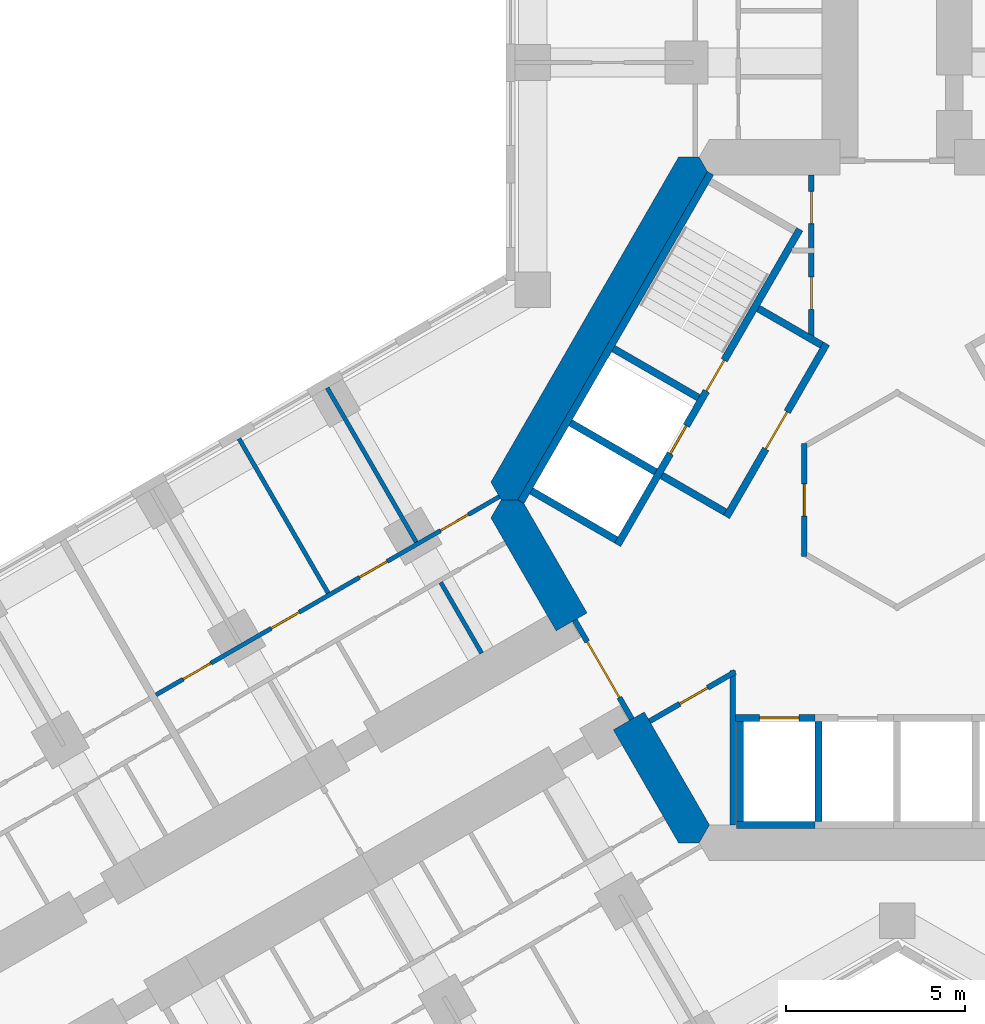
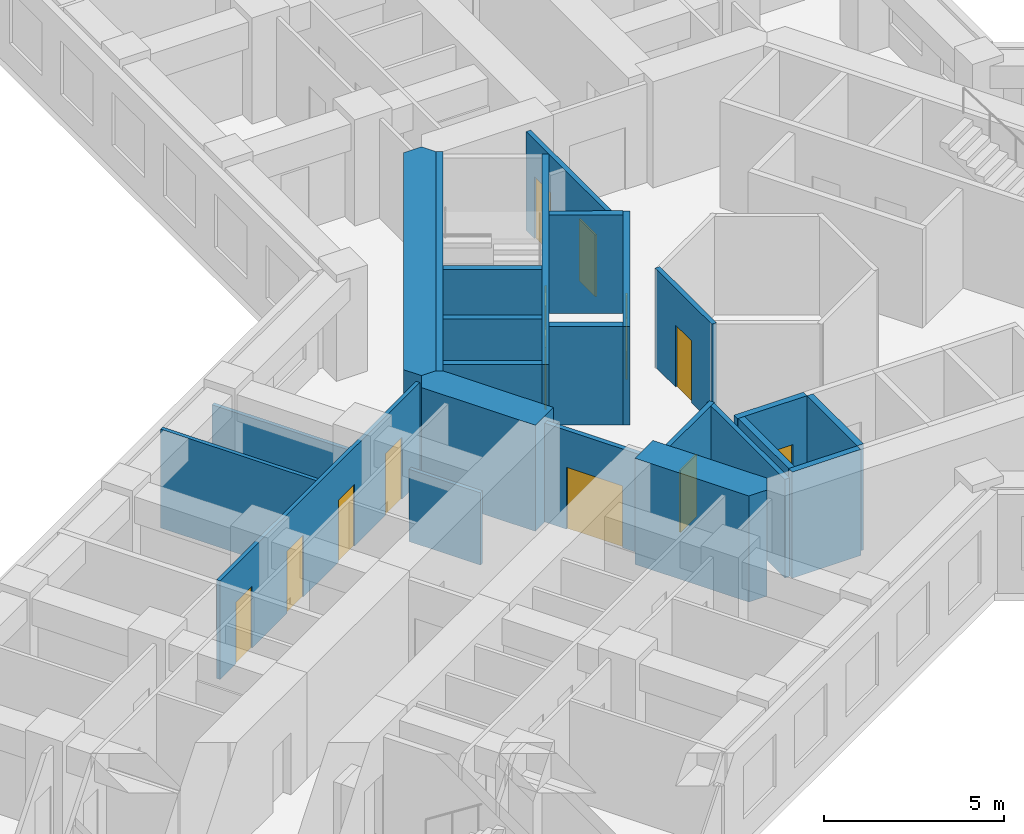
# One storey, part 13 of 21: 24 walls, 13 doors, 13 openings.
"""IFC4 building model written with IfcOpenShell, lengths in metres."""

import ifcopenshell
import ifcopenshell.guid

model = None  # the IFC model being written
_history = None  # IfcOwnerHistory: only IFC2X3 demands one
_inside = {}  # id of a spatial element -> (the spatial element, [elements in it])
_under = {}  # id of a project, library or spatial element -> (it, [spatial elements below it])
_declared = {}  # id of a project -> (the project, [libraries it declares])
_typed = {}  # id of a type object -> (the type object, [elements of that type])
_made_of = {}  # id of a material, layer set ... -> (it, [elements and type objects made of it])


def new_model(schema):
    """Start an empty IFC model of exactly this schema.

    Asked for "IFC4X3", IfcOpenShell would pick the latest addendum, in which some entities
    have other attributes; the version numbers below select the first issue.
    IFC2X3 requires an IfcOwnerHistory on every rooted entity: one is made here for all.
    """
    global model, _history
    if schema == "IFC4X3":
        model = ifcopenshell.file(schema_version=(4, 3, 0, 0))
    else:
        model = ifcopenshell.file(schema=schema)
    _inside.clear()
    _under.clear()
    _declared.clear()
    _typed.clear()
    _made_of.clear()
    _history = None
    if model.schema == "IFC2X3":
        org = make("IfcOrganization", Name="unknown")
        user = make(
            "IfcPersonAndOrganization",
            ThePerson=make("IfcPerson", FamilyName="unknown"),
            TheOrganization=org,
        )
        app = make(
            "IfcApplication",
            ApplicationDeveloper=org,
            Version="unknown",
            ApplicationFullName="unknown",
            ApplicationIdentifier="unknown",
        )
        _history = make(
            "IfcOwnerHistory",
            OwningUser=user,
            OwningApplication=app,
            ChangeAction="ADDED",
            CreationDate=0,
        )
    return model


def make(cls, **values):
    """One entity of the class cls with the attributes given. An attribute that is None is left unset."""
    return model.create_entity(
        cls, **{name: value for name, value in values.items() if value is not None}
    )


def rooted(cls, **values):
    """An entity with a GlobalId (a new one), such as an element, a storey or a relation."""
    return make(cls, GlobalId=ifcopenshell.guid.new(), OwnerHistory=_history, **values)


def si_unit(unit_type, name, prefix=None):
    """IfcSIUnit, for example si_unit("LENGTHUNIT", "METRE", prefix="MILLI")."""
    return make("IfcSIUnit", UnitType=unit_type, Prefix=prefix, Name=name)


def assignment(units):
    """IfcUnitAssignment: the units of a project."""
    return None if units is None else make("IfcUnitAssignment", Units=units)


def point(xyz):
    """IfcCartesianPoint."""
    return None if xyz is None else make("IfcCartesianPoint", Coordinates=xyz)


def direction(xyz):
    """IfcDirection."""
    return None if xyz is None else make("IfcDirection", DirectionRatios=xyz)


def frame(location, z_axis=None, x_axis=None):
    """IfcAxis2Placement3D, a coordinate frame: its origin and axes. An axis left out is left unset."""
    return make(
        "IfcAxis2Placement3D",
        Location=point(location),
        Axis=direction(z_axis),
        RefDirection=direction(x_axis),
    )


def frame_2d(location, x_axis=None):
    """IfcAxis2Placement2D, a coordinate frame in the plane: its origin and x axis."""
    return make(
        "IfcAxis2Placement2D", Location=point(location), RefDirection=direction(x_axis)
    )


def origin():
    """The frame at (0, 0, 0) with its axes left unset."""
    return frame((0.0, 0.0, 0.0))


def place(relative_to, where):
    """IfcLocalPlacement: puts the frame where relative to a parent placement (None: the world)."""
    return make(
        "IfcLocalPlacement", PlacementRelTo=relative_to, RelativePlacement=where
    )


def context(
    kind, dimensions, precision=None, world=None, true_north=None, identifier=None
):
    """IfcGeometricRepresentationContext, for example the 3D "Model" context."""
    return make(
        "IfcGeometricRepresentationContext",
        ContextIdentifier=identifier,
        ContextType=kind,
        CoordinateSpaceDimension=dimensions,
        Precision=precision,
        WorldCoordinateSystem=world,
        TrueNorth=true_north,
    )


def subcontext(parent, identifier, kind, view, scale=None):
    """IfcGeometricRepresentationSubContext, for example "Body" below "Model"."""
    return make(
        "IfcGeometricRepresentationSubContext",
        ContextIdentifier=identifier,
        ContextType=kind,
        ParentContext=parent,
        TargetScale=scale,
        TargetView=view,
    )


def project(units=None, contexts=None):
    """IfcProject with its units and contexts."""
    return rooted(
        "IfcProject",
        Name="project",
        RepresentationContexts=contexts,
        UnitsInContext=assignment(units),
    )


def spatial(cls, under=None, at=None, **own):
    """A site, building, storey or space (cls), placed at a placement, below another one or the project."""
    s = rooted(cls, ObjectPlacement=at, **own)
    if under is not None:
        _under.setdefault(under.id(), (under, []))[1].append(s)
    return s


def polyline(points):
    """IfcPolyline through the points."""
    return make("IfcPolyline", Points=[point(p) for p in points])


def profile(cls, at=None, kind="AREA", **sizes):
    """A parametric profile (cls). Its sizes go by their IFC names, for example OverallWidth=200.0."""
    return make(cls, ProfileType=kind, Position=at, **sizes)


def rectangle(**sizes):
    """IfcRectangleProfileDef."""
    return profile("IfcRectangleProfileDef", **sizes)


def outline(outer, holes=None, kind="AREA"):
    """IfcArbitraryClosedProfileDef: a profile drawn as a closed curve; with holes, ...WithVoids."""
    if holes is None:
        return make("IfcArbitraryClosedProfileDef", ProfileType=kind, OuterCurve=outer)
    return make(
        "IfcArbitraryProfileDefWithVoids",
        ProfileType=kind,
        OuterCurve=outer,
        InnerCurves=holes,
    )


def extrude(swept, where, along, depth):
    """IfcExtrudedAreaSolid: the profile swept, set in the frame where, extruded along a direction by depth."""
    return make(
        "IfcExtrudedAreaSolid",
        SweptArea=swept,
        Position=where,
        ExtrudedDirection=direction(along),
        Depth=depth,
    )


def shape(context_of_items, identifier, shape_type, items):
    """IfcShapeRepresentation: the items that make up one representation, for example the "Body"."""
    return make(
        "IfcShapeRepresentation",
        ContextOfItems=context_of_items,
        RepresentationIdentifier=identifier,
        RepresentationType=shape_type,
        Items=items,
    )


def material(Name=None, Category=None):
    """IfcMaterial."""
    return make("IfcMaterial", Name=Name, Category=Category)


def layer(
    of_material, thickness, ventilated=None, Name=None, Category=None, Priority=None
):
    """IfcMaterialLayer: one layer of a wall or slab, of a material (None: an air gap)."""
    return make(
        "IfcMaterialLayer",
        Material=of_material,
        LayerThickness=thickness,
        IsVentilated=ventilated,
        Name=Name,
        Category=Category,
        Priority=Priority,
    )


def layer_set(layers, Name=None):
    """IfcMaterialLayerSet."""
    return make("IfcMaterialLayerSet", MaterialLayers=layers, LayerSetName=Name)


def made_of(thing, what):
    """Note that an element or type object is made of a material, layer set ...; save() writes the relation."""
    if what is not None:
        _made_of.setdefault(what.id(), (what, []))[1].append(thing)
    return thing


def type_object(cls, material=None, **own):
    """A type object (cls), such as IfcWallType, which elements share."""
    return made_of(rooted(cls, **own), material)


def element(
    cls,
    number,
    at=None,
    inside=None,
    cuts=None,
    type_object=None,
    material=None,
    context=None,
    identifier="Body",
    shape_type=None,
    held_by="IfcProductDefinitionShape",
    body=None,
    shapes=None,
    **own,
):
    """One element of the class cls, such as IfcWall. Its Tag is "e" and its number.

    at: its placement. inside: the storey or other place that contains it. cuts: it is an
    opening in that element (IfcRelVoidsElement). A single representation is given by context,
    identifier, shape_type and body (its items); several are given by shapes. held_by: the class
    of the entity that holds the representations. save() writes the other relations.
    """
    e = rooted(cls, Tag="e%d" % number, ObjectPlacement=at, **own)
    if body is not None:
        shapes = [shape(context, identifier, shape_type, body)]
    if shapes is not None:
        e.Representation = make(held_by, Representations=shapes)
    if inside is not None:
        _inside.setdefault(inside.id(), (inside, []))[1].append(e)
    if cuts is not None:
        rooted(
            "IfcRelVoidsElement", RelatingBuildingElement=cuts, RelatedOpeningElement=e
        )
    if type_object is not None:
        _typed.setdefault(type_object.id(), (type_object, []))[1].append(e)
    return made_of(e, material)


def fill(opening, filler):
    """IfcRelFillsElement: the door or window that sits in an opening."""
    return rooted(
        "IfcRelFillsElement",
        RelatingOpeningElement=opening,
        RelatedBuildingElement=filler,
    )


def aggregate(whole, parts):
    """IfcRelAggregates: a whole, such as a stair, and the parts it consists of."""
    return rooted("IfcRelAggregates", RelatingObject=whole, RelatedObjects=parts)


def save(model, path):
    """Write the relations noted so far, then the file.

    IfcRelAggregates (storeys below a building ...), IfcRelContainedInSpatialStructure (elements
    in a storey), IfcRelDefinesByType, IfcRelAssociatesMaterial and IfcRelDeclares: one each for
    every whole, place, type object, material and project.
    """
    for whole, parts in _under.values():
        aggregate(whole, parts)
    for where, things in _inside.values():
        rooted(
            "IfcRelContainedInSpatialStructure",
            RelatedElements=things,
            RelatingStructure=where,
        )
    for kind, things in _typed.values():
        rooted("IfcRelDefinesByType", RelatedObjects=things, RelatingType=kind)
    for what, things in _made_of.values():
        rooted("IfcRelAssociatesMaterial", RelatedObjects=things, RelatingMaterial=what)
    for by, libraries in _declared.values():
        rooted("IfcRelDeclares", RelatingContext=by, RelatedDefinitions=libraries)
    model.write(path)


model = new_model("IFC4")

# Units and contexts
model_context = context("Model", 3, precision=1e-05, world=origin(), true_north=direction((0.0, 1.0)))
body_context = subcontext(model_context, "Body", "Model", "MODEL_VIEW")
ifc_project = project(units=[si_unit("LENGTHUNIT", "METRE"), si_unit("AREAUNIT", "SQUARE_METRE"), si_unit("VOLUMEUNIT", "CUBIC_METRE"), si_unit("PLANEANGLEUNIT", "RADIAN"), si_unit("MASSUNIT", "GRAM", prefix="KILO")], contexts=[model_context])

# Site, building, storey
site_placement = place(None, origin())
site = spatial("IfcSite", under=ifc_project, at=site_placement, CompositionType="ELEMENT")
building_placement = place(site_placement, origin())
building = spatial("IfcBuilding", under=site, at=building_placement, Name="Kosmar Iwan School Tower", CompositionType="ELEMENT")
storey_placement = place(building_placement, frame((0.0, 0.0, 61.0)))
storey = spatial("IfcBuildingStorey", under=building, at=storey_placement, Name="L14", CompositionType="ELEMENT", Elevation=61.0)

# Wall, openings, doors
ifc_material_1 = material(Name="Gypsum board on steel studs, fire-rated", Category="steel")
ifc_layer_1 = layer(ifc_material_1, 0.14990234375)
ifc_layer_set_1 = layer_set([ifc_layer_1], Name="Core room partition 150")
wall_type_1 = type_object("IfcWallType", Name="Core room partition 150", PredefinedType="PARTITIONING", material=ifc_layer_set_1)
wall_1_placement = place(storey_placement, frame((-2.39990234375, 9.094970703125, 0.0), z_axis=(0.0, 0.0, 1.0), x_axis=(0.0, -1.0, 0.0)))
wall_1 = element("IfcWall", 1, at=wall_1_placement, inside=storey, type_object=wall_type_1, Name="Core room partition L14-CW1", PredefinedType="PARTITIONING", context=body_context, shape_type="SweptSolid", body=[
    extrude(rectangle(XDim=4.564208984375, YDim=0.14990234375, at=frame_2d((2.2822265625, 0.0))), origin(), (0.0, 0.0, 1.0), 3.35009765625),
])
opening_1_placement = place(wall_1_placement, frame((0.455078125, 0.0, 0.0)))
opening_1 = element("IfcOpeningElement", 2, at=opening_1_placement, cuts=wall_1, Name="Opening D14", PredefinedType="OPENING", context=body_context, shape_type="SweptSolid", body=[
    extrude(rectangle(XDim=0.89990234375, YDim=2.10009765625, at=frame_2d((0.449951171875, 1.050048828125))), frame((0.0, 0.0869140625, 0.0), z_axis=(0.0, -1.0, 0.0), x_axis=(1.0, 0.0, 0.0)), (0.0, 0.0, 1.0), 0.173828125),
])
opening_2_placement = place(wall_1_placement, frame((2.85498046875, 0.0, 0.0)))
opening_2 = element("IfcOpeningElement", 3, at=opening_2_placement, cuts=wall_1, Name="Opening D14", PredefinedType="OPENING", context=body_context, shape_type="SweptSolid", body=[
    extrude(rectangle(XDim=0.89990234375, YDim=2.10009765625, at=frame_2d((0.449951171875, 1.050048828125))), frame((0.0, 0.0869140625, 0.0), z_axis=(0.0, -1.0, 0.0), x_axis=(1.0, 0.0, 0.0)), (0.0, 0.0, 1.0), 0.173828125),
])
ifc_material_2 = material(Name="Timber fire door in steel frame", Category="steel")
door_type_1 = type_object("IfcDoorType", Name="Core room door 900x2100", OperationType="SINGLE_SWING_LEFT", PredefinedType="DOOR", material=ifc_material_2)
door_1_placement = place(opening_1_placement, origin())
door_1 = element("IfcDoor", 4, at=door_1_placement, inside=storey, type_object=door_type_1, Name="Electrical riser and switch room door L14 1", OperationType="SINGLE_SWING_LEFT", OverallHeight=2.10009765625, OverallWidth=0.89990234375, PredefinedType="DOOR", context=body_context, shape_type="SweptSolid", body=[
    extrude(rectangle(XDim=0.89990234375, YDim=2.10009765625, at=frame_2d((0.449951171875, 1.050048828125))), frame((0.0, 0.02490234375, 0.0), z_axis=(0.0, -1.0, 0.0), x_axis=(1.0, 0.0, 0.0)), (0.0, 0.0, 1.0), 0.050048828125),
])
fill(opening_1, door_1)
door_2_placement = place(opening_2_placement, origin())
door_2 = element("IfcDoor", 5, at=door_2_placement, inside=storey, type_object=door_type_1, Name="Plumbing and wet riser door L14 2", OperationType="SINGLE_SWING_RIGHT", OverallHeight=2.10009765625, OverallWidth=0.89990234375, PredefinedType="DOOR", context=body_context, shape_type="SweptSolid", body=[
    extrude(rectangle(XDim=0.89990234375, YDim=2.10009765625, at=frame_2d((0.449951171875, 1.050048828125))), frame((0.0, 0.02490234375, 0.0), z_axis=(0.0, -1.0, 0.0), x_axis=(1.0, 0.0, 0.0)), (0.0, 0.0, 1.0), 0.050048828125),
])
fill(opening_2, door_2)

# Wall, opening, door
wall_2_placement = place(storey_placement, frame((-2.60009765625, -1.576171875, 0.0), z_axis=(0.0, 0.0, 1.0), x_axis=(0.0, 1.0, 0.0)))
wall_2 = element("IfcWall", 6, at=wall_2_placement, inside=storey, type_object=wall_type_1, Name="Core room partition L14-CW6", PredefinedType="PARTITIONING", context=body_context, shape_type="SweptSolid", body=[
    extrude(rectangle(XDim=3.15234375, YDim=0.14990234375, at=frame_2d((1.576171875, 0.0))), origin(), (0.0, 0.0, 1.0), 3.35009765625),
])
opening_3_placement = place(wall_2_placement, frame((1.1259765625, 0.0, 0.0)))
opening_3 = element("IfcOpeningElement", 7, at=opening_3_placement, cuts=wall_2, Name="Opening D14", PredefinedType="OPENING", context=body_context, shape_type="SweptSolid", body=[
    extrude(rectangle(XDim=0.89990234375, YDim=2.10009765625, at=frame_2d((0.449951171875, 1.050048828125))), frame((0.0, 0.0869140625, 0.0), z_axis=(0.0, -1.0, 0.0), x_axis=(1.0, 0.0, 0.0)), (0.0, 0.0, 1.0), 0.173828125),
])
door_3_placement = place(opening_3_placement, origin())
door_3 = element("IfcDoor", 8, at=door_3_placement, inside=storey, type_object=door_type_1, Name="Bulky waste store door L14 3", OperationType="SINGLE_SWING_RIGHT", OverallHeight=2.10009765625, OverallWidth=0.89990234375, PredefinedType="DOOR", context=body_context, shape_type="SweptSolid", body=[
    extrude(rectangle(XDim=0.89990234375, YDim=2.10009765625, at=frame_2d((0.449951171875, 1.050048828125))), frame((0.0, 0.02490234375, 0.0), z_axis=(0.0, -1.0, 0.0), x_axis=(1.0, 0.0, 0.0)), (0.0, 0.0, 1.0), 0.050048828125),
])
fill(opening_3, door_3)

wall_3_placement = place(storey_placement, frame((-6.930908203125, -6.195556640625, 0.0), z_axis=(0.0, 0.0, 1.0), x_axis=(0.866007755774, 0.500030566006, 0.0)))
wall_3 = element("IfcWall", 9, at=wall_3_placement, inside=storey, type_object=wall_type_1, Name="Core room partition L14-CW10", PredefinedType="PARTITIONING", context=body_context, shape_type="SweptSolid", body=[
    extrude(rectangle(XDim=2.766357421875, YDim=0.14990234375, at=frame_2d((1.38330078125, 0.0))), origin(), (0.0, 0.0, 1.0), 3.35009765625),
])
opening_4_placement = place(wall_3_placement, frame((0.97607421875, 0.0, 0.0)))
opening_4 = element("IfcOpeningElement", 10, at=opening_4_placement, cuts=wall_3, Name="Opening D14", PredefinedType="OPENING", context=body_context, shape_type="SweptSolid", body=[
    extrude(rectangle(XDim=0.89990234375, YDim=2.10009765625, at=frame_2d((0.449951171875, 1.050048828125))), frame((0.0, 0.0869140625, 0.0), z_axis=(0.0, -1.0, 0.0), x_axis=(1.0, 0.0, 0.0)), (0.0, 0.0, 1.0), 0.173828125),
])
door_4_placement = place(opening_4_placement, origin())
door_4 = element("IfcDoor", 11, at=door_4_placement, inside=storey, type_object=door_type_1, Name="Linen store door L14 4", OperationType="SINGLE_SWING_RIGHT", OverallHeight=2.10009765625, OverallWidth=0.89990234375, PredefinedType="DOOR", context=body_context, shape_type="SweptSolid", body=[
    extrude(rectangle(XDim=0.89990234375, YDim=2.10009765625, at=frame_2d((0.449951171875, 1.050048828125))), frame((0.0, 0.02490234375, 0.0), z_axis=(0.0, -1.0, 0.0), x_axis=(1.0, 0.0, 0.0)), (0.0, 0.0, 1.0), 0.050048828125),
])
fill(opening_4, door_4)

# Walls
wall_4_placement = place(storey_placement, frame((-4.60009765625, -4.774658203125, 0.0), z_axis=(0.0, 0.0, 1.0), x_axis=(0.0, -1.0, 0.0)))
element("IfcWall", 12, at=wall_4_placement, inside=storey, type_object=wall_type_1, Name="Core room partition L14-CW11", PredefinedType="PARTITIONING", context=body_context, shape_type="SweptSolid", body=[
    extrude(rectangle(XDim=4.3203125, YDim=0.14990234375, at=frame_2d((2.16015625, 0.0))), origin(), (0.0, 0.0, 1.0), 3.35009765625),
])
ifc_material_3 = material(Name="Concrete C50/60", Category="concrete")
ifc_layer_2 = layer(ifc_material_3, 1.0)
ifc_layer_set_2 = layer_set([ifc_layer_2], Name="Core wall 1000")
wall_type_2 = type_object("IfcWallType", Name="Core wall 1000", PredefinedType="SHEAR", material=ifc_layer_set_2)
wall_5_placement = place(storey_placement, origin())
element("IfcWall", 13, at=wall_5_placement, inside=storey, type_object=wall_type_2, Name="Core wall F150", PredefinedType="SHEAR", context=body_context, shape_type="SweptSolid", body=[
    extrude(outline(polyline([(-11.085205078125, 0.0), (-10.5078125, 0.0), (-5.25390625, 9.10009765625), (-5.54248046875, 9.60009765625), (-6.119873046875, 9.60009765625), (-11.373779296875, 0.5), (-11.085205078125, 0.0)])), origin(), (0.0, 0.0, 1.0), 3.60009765625),
])
wall_6_placement = place(storey_placement, origin())
element("IfcWall", 14, at=wall_6_placement, inside=storey, type_object=wall_type_2, Name="Core wall F210a", PredefinedType="SHEAR", context=body_context, shape_type="SweptSolid", body=[
    extrude(outline(polyline([(-9.546875, -3.664306640625), (-8.680908203125, -3.164306640625), (-10.5078125, 0.0), (-11.085205078125, 0.0), (-11.373779296875, -0.5), (-9.546875, -3.664306640625)])), origin(), (0.0, 0.0, 1.0), 3.60009765625),
])
wall_7_placement = place(storey_placement, origin())
element("IfcWall", 15, at=wall_7_placement, inside=storey, type_object=wall_type_2, Name="Core wall F210b", PredefinedType="SHEAR", context=body_context, shape_type="SweptSolid", body=[
    extrude(outline(polyline([(-6.119873046875, -9.60009765625), (-5.54248046875, -9.60009765625), (-5.25390625, -9.10009765625), (-7.080810546875, -5.935546875), (-7.94677734375, -6.435546875), (-6.119873046875, -9.60009765625)])), origin(), (0.0, 0.0, 1.0), 3.60009765625),
])

# Wall, opening, door
ifc_material_4 = material(Name="Steel framed glazed screen", Category="steel")
ifc_layer_3 = layer(ifc_material_4, 0.14990234375)
ifc_layer_set_3 = layer_set([ifc_layer_3], Name="Corridor screen wall 150")
wall_type_3 = type_object("IfcWallType", Name="Corridor screen wall 150", PredefinedType="PARTITIONING", material=ifc_layer_set_3)
wall_8_placement = place(storey_placement, frame((-9.02734375, -3.3642578125, 0.0), z_axis=(0.0, 0.0, 1.0), x_axis=(0.499995408039, -0.866028054938, 0.0)))
wall_8 = element("IfcWall", 16, at=wall_8_placement, inside=storey, type_object=wall_type_3, Name="Corridor screen B L14", PredefinedType="PARTITIONING", context=body_context, shape_type="SweptSolid", body=[
    extrude(rectangle(XDim=3.2001953125, YDim=0.14990234375, at=frame_2d((1.60009765625, 0.0))), origin(), (0.0, 0.0, 1.0), 3.35009765625),
])
opening_5_placement = place(wall_8_placement, frame((0.699951171875, 0.0, 0.0)))
opening_5 = element("IfcOpeningElement", 17, at=opening_5_placement, cuts=wall_8, Name="Opening D9", PredefinedType="OPENING", context=body_context, shape_type="SweptSolid", body=[
    extrude(rectangle(XDim=1.800048828125, YDim=2.10009765625, at=frame_2d((0.89990234375, 1.050048828125))), frame((0.0, 0.0869140625, 0.0), z_axis=(0.0, -1.0, 0.0), x_axis=(1.0, 0.0, 0.0)), (0.0, 0.0, 1.0), 0.173828125),
])
ifc_material_5 = material(Name="Steel framed glazed smoke door", Category="steel")
door_type_2 = type_object("IfcDoorType", Name="Corridor smoke door pair 1800x2100", OperationType="DOUBLE_DOOR_DOUBLE_SWING", PredefinedType="DOOR", material=ifc_material_5)
door_5_placement = place(opening_5_placement, origin())
door_5 = element("IfcDoor", 18, at=door_5_placement, inside=storey, type_object=door_type_2, Name="Corridor doors B L14", OperationType="DOUBLE_DOOR_DOUBLE_SWING", OverallHeight=2.10009765625, OverallWidth=1.800048828125, PredefinedType="DOOR", context=body_context, shape_type="SweptSolid", body=[
    extrude(rectangle(XDim=1.800048828125, YDim=2.10009765625, at=frame_2d((0.89990234375, 1.050048828125))), frame((0.0, 0.02490234375, 0.0), z_axis=(0.0, -1.0, 0.0), x_axis=(1.0, 0.0, 0.0)), (0.0, 0.0, 1.0), 0.050048828125),
])
fill(opening_5, door_5)

# Wall, openings, doors
ifc_material_6 = material(Name="Gypsum board on steel studs", Category="steel")
ifc_layer_4 = layer(ifc_material_6, 0.1201171875)
ifc_layer_set_4 = layer_set([ifc_layer_4], Name="Dwelling partition 120")
wall_type_4 = type_object("IfcWallType", Name="Dwelling partition 120", PredefinedType="PARTITIONING", material=ifc_layer_set_4)
wall_9_placement = place(storey_placement, frame((-11.138916015625, 0.093017578125, 0.0), z_axis=(0.0, 0.0, 1.0), x_axis=(-0.866021494144, -0.500006771635, 0.0)))
wall_9 = element("IfcWall", 19, at=wall_9_placement, inside=storey, type_object=wall_type_4, Name="Partition L14-BR1-W2", PredefinedType="PARTITIONING", context=body_context, shape_type="SweptSolid", body=[
    extrude(rectangle(XDim=11.099853515625, YDim=0.1201171875, at=frame_2d((5.5498046875, 0.0))), origin(), (0.0, 0.0, 1.0), 3.35009765625),
])
opening_6_placement = place(wall_9_placement, frame((1.0, 0.0, 0.0)))
opening_6 = element("IfcOpeningElement", 20, at=opening_6_placement, cuts=wall_9, Name="Opening D2", PredefinedType="OPENING", context=body_context, shape_type="SweptSolid", body=[
    extrude(rectangle(XDim=0.89990234375, YDim=2.10009765625, at=frame_2d((0.449951171875, 1.050048828125))), frame((0.0, 0.072021484375, 0.0), z_axis=(0.0, -1.0, 0.0), x_axis=(1.0, 0.0, 0.0)), (0.0, 0.0, 1.0), 0.14404296875),
])
opening_7_placement = place(wall_9_placement, frame((3.625, 0.0, 0.0)))
opening_7 = element("IfcOpeningElement", 21, at=opening_7_placement, cuts=wall_9, Name="Opening D2", PredefinedType="OPENING", context=body_context, shape_type="SweptSolid", body=[
    extrude(rectangle(XDim=0.89990234375, YDim=2.10009765625, at=frame_2d((0.449951171875, 1.050048828125))), frame((0.0, 0.072021484375, 0.0), z_axis=(0.0, -1.0, 0.0), x_axis=(1.0, 0.0, 0.0)), (0.0, 0.0, 1.0), 0.14404296875),
])
opening_8_placement = place(wall_9_placement, frame((6.47509765625, 0.0, 0.0)))
opening_8 = element("IfcOpeningElement", 22, at=opening_8_placement, cuts=wall_9, Name="Opening D2", PredefinedType="OPENING", context=body_context, shape_type="SweptSolid", body=[
    extrude(rectangle(XDim=0.89990234375, YDim=2.10009765625, at=frame_2d((0.449951171875, 1.050048828125))), frame((0.0, 0.072021484375, 0.0), z_axis=(0.0, -1.0, 0.0), x_axis=(1.0, 0.0, 0.0)), (0.0, 0.0, 1.0), 0.14404296875),
])
opening_9_placement = place(wall_9_placement, frame((9.324951171875, 0.0, 0.0)))
opening_9 = element("IfcOpeningElement", 23, at=opening_9_placement, cuts=wall_9, Name="Opening D2", PredefinedType="OPENING", context=body_context, shape_type="SweptSolid", body=[
    extrude(rectangle(XDim=0.89990234375, YDim=2.10009765625, at=frame_2d((0.449951171875, 1.050048828125))), frame((0.0, 0.072021484375, 0.0), z_axis=(0.0, -1.0, 0.0), x_axis=(1.0, 0.0, 0.0)), (0.0, 0.0, 1.0), 0.14404296875),
])
ifc_material_7 = material(Name="Timber door in timber frame", Category="wood")
door_type_3 = type_object("IfcDoorType", Name="Internal door 900x2100", OperationType="SINGLE_SWING_LEFT", PredefinedType="DOOR", material=ifc_material_7)
door_6_placement = place(opening_6_placement, origin())
door_6 = element("IfcDoor", 24, at=door_6_placement, inside=storey, type_object=door_type_3, Name="Living room and kitchen door L14-BR1-F1", OperationType="SINGLE_SWING_LEFT", OverallHeight=2.10009765625, OverallWidth=0.89990234375, PredefinedType="DOOR", context=body_context, shape_type="SweptSolid", body=[
    extrude(rectangle(XDim=0.89990234375, YDim=2.10009765625, at=frame_2d((0.449951171875, 1.050048828125))), frame((0.0, 0.02490234375, 0.0), z_axis=(0.0, -1.0, 0.0), x_axis=(1.0, 0.0, 0.0)), (0.0, 0.0, 1.0), 0.050048828125),
])
fill(opening_6, door_6)
door_7_placement = place(opening_7_placement, origin())
door_7 = element("IfcDoor", 25, at=door_7_placement, inside=storey, type_object=door_type_3, Name="Study door L14-BR1-F2", OperationType="SINGLE_SWING_LEFT", OverallHeight=2.10009765625, OverallWidth=0.89990234375, PredefinedType="DOOR", context=body_context, shape_type="SweptSolid", body=[
    extrude(rectangle(XDim=0.89990234375, YDim=2.10009765625, at=frame_2d((0.449951171875, 1.050048828125))), frame((0.0, 0.02490234375, 0.0), z_axis=(0.0, -1.0, 0.0), x_axis=(1.0, 0.0, 0.0)), (0.0, 0.0, 1.0), 0.050048828125),
])
fill(opening_7, door_7)
door_8_placement = place(opening_8_placement, origin())
door_8 = element("IfcDoor", 26, at=door_8_placement, inside=storey, type_object=door_type_3, Name="Study door L14-BR1-F3", OperationType="SINGLE_SWING_RIGHT", OverallHeight=2.10009765625, OverallWidth=0.89990234375, PredefinedType="DOOR", context=body_context, shape_type="SweptSolid", body=[
    extrude(rectangle(XDim=0.89990234375, YDim=2.10009765625, at=frame_2d((0.449951171875, 1.050048828125))), frame((0.0, 0.02490234375, 0.0), z_axis=(0.0, -1.0, 0.0), x_axis=(1.0, 0.0, 0.0)), (0.0, 0.0, 1.0), 0.050048828125),
])
fill(opening_8, door_8)
door_9_placement = place(opening_9_placement, origin())
door_9 = element("IfcDoor", 27, at=door_9_placement, inside=storey, type_object=door_type_3, Name="Bedroom 1 door L14-BR1-F4", OperationType="SINGLE_SWING_RIGHT", OverallHeight=2.10009765625, OverallWidth=0.89990234375, PredefinedType="DOOR", context=body_context, shape_type="SweptSolid", body=[
    extrude(rectangle(XDim=0.89990234375, YDim=2.10009765625, at=frame_2d((0.449951171875, 1.050048828125))), frame((0.0, 0.02490234375, 0.0), z_axis=(0.0, -1.0, 0.0), x_axis=(1.0, 0.0, 0.0)), (0.0, 0.0, 1.0), 0.050048828125),
])
fill(opening_9, door_9)

# Walls
wall_10_placement = place(storey_placement, frame((-13.4638671875, -1.179931640625, 0.0), z_axis=(0.0, 0.0, 1.0), x_axis=(-0.499996339024, 0.86602751744, 0.0)))
element("IfcWall", 28, at=wall_10_placement, inside=storey, type_object=wall_type_4, Name="Partition L14-BR1-X1", PredefinedType="PARTITIONING", context=body_context, shape_type="SweptSolid", body=[
    extrude(rectangle(XDim=4.98974609375, YDim=0.1201171875, at=frame_2d((2.494873046875, 0.0))), origin(), (0.0, 0.0, 1.0), 2.449951171875),
])
wall_11_placement = place(storey_placement, frame((-15.931884765625, -2.60498046875, 0.0), z_axis=(0.0, 0.0, 1.0), x_axis=(-0.500011847778, 0.866018563358, 0.0)))
element("IfcWall", 29, at=wall_11_placement, inside=storey, type_object=wall_type_4, Name="Partition L14-BR1-X2", PredefinedType="PARTITIONING", context=body_context, shape_type="SweptSolid", body=[
    extrude(rectangle(XDim=4.990234375, YDim=0.1201171875, at=frame_2d((2.4951171875, 0.0))), origin(), (0.0, 0.0, 1.0), 3.35009765625),
])
wall_12_placement = place(storey_placement, frame((-11.6328125, -4.291259765625, 0.0), z_axis=(0.0, 0.0, 1.0), x_axis=(-0.500014693593, 0.866016920268, 0.0)))
element("IfcWall", 30, at=wall_12_placement, inside=storey, type_object=wall_type_4, Name="Partition L14-BR1-Y1", PredefinedType="PARTITIONING", context=body_context, shape_type="SweptSolid", body=[
    extrude(rectangle(XDim=2.2900390625, YDim=0.1201171875, at=frame_2d((1.14501953125, 0.0))), origin(), (0.0, 0.0, 1.0), 2.449951171875),
])

# Wall, opening, door
ifc_material_8 = material(Name="Concrete block masonry", Category="masonry")
ifc_layer_5 = layer(ifc_material_8, 0.199951171875)
ifc_layer_set_5 = layer_set([ifc_layer_5], Name="Fire lobby wall 200")
wall_type_5 = type_object("IfcWallType", Name="Fire lobby wall 200", PredefinedType="PARTITIONING", material=ifc_layer_set_5)
wall_13_placement = place(storey_placement, frame((-1.9775390625, 4.374755859375, 0.0), z_axis=(0.0, 0.0, 1.0), x_axis=(-0.500016814911, -0.866015695474, 0.0)))
wall_13 = element("IfcWall", 31, at=wall_13_placement, inside=storey, type_object=wall_type_5, Name="Firefighting lobby wall ST2", PredefinedType="PARTITIONING", context=body_context, shape_type="SweptSolid", body=[
    extrude(rectangle(XDim=5.599853515625, YDim=0.199951171875, at=frame_2d((2.7998046875, 0.0))), origin(), (0.0, 0.0, 1.0), 3.35009765625),
])
opening_10_placement = place(wall_13_placement, frame((2.199951171875, 0.0, 0.0)))
opening_10 = element("IfcOpeningElement", 32, at=opening_10_placement, cuts=wall_13, Name="Opening D7", PredefinedType="OPENING", context=body_context, shape_type="SweptSolid", body=[
    extrude(rectangle(XDim=1.199951171875, YDim=2.10009765625, at=frame_2d((0.60009765625, 1.050048828125))), frame((0.0, 0.112060546875, 0.0), z_axis=(0.0, -1.0, 0.0), x_axis=(1.0, 0.0, 0.0)), (0.0, 0.0, 1.0), 0.223876953125),
])
ifc_material_9 = material(Name="Steel fire door", Category="steel")
door_type_4 = type_object("IfcDoorType", Name="Fire lobby door 1200x2100", OperationType="SINGLE_SWING_LEFT", PredefinedType="DOOR", material=ifc_material_9)
door_10_placement = place(opening_10_placement, frame((1.199951171875, 0.0, 0.0), z_axis=(0.0, 0.0, 1.0), x_axis=(-1.0, 0.0, 0.0)))
door_10 = element("IfcDoor", 33, at=door_10_placement, inside=storey, type_object=door_type_4, Name="Firefighting lobby door ST2 L14", OperationType="SINGLE_SWING_LEFT", OverallHeight=2.10009765625, OverallWidth=1.199951171875, PredefinedType="DOOR", context=body_context, shape_type="SweptSolid", body=[
    extrude(rectangle(XDim=1.199951171875, YDim=2.10009765625, at=frame_2d((0.60009765625, 1.050048828125))), frame((0.0, 0.02490234375, 0.0), z_axis=(0.0, -1.0, 0.0), x_axis=(1.0, 0.0, 0.0)), (0.0, 0.0, 1.0), 0.050048828125),
])
fill(opening_10, door_10)

# Walls
wall_14_placement = place(storey_placement, frame((-2.114013671875, 4.33837890625, 0.0), z_axis=(0.0, 0.0, 1.0), x_axis=(-0.866050731258, 0.499956128963, 0.0)))
element("IfcWall", 34, at=wall_14_placement, inside=storey, type_object=wall_type_5, Name="Firefighting lobby wall ST2", PredefinedType="PARTITIONING", context=body_context, shape_type="SweptSolid", body=[
    extrude(rectangle(XDim=2.050048828125, YDim=0.199951171875, at=frame_2d((1.02490234375, 0.0))), origin(), (0.0, 0.0, 1.0), 3.35009765625),
])
wall_15_placement = place(storey_placement, frame((-4.814208984375, -0.33837890625, 0.0), z_axis=(0.0, 0.0, 1.0), x_axis=(-0.865969381856, 0.500097020274, 0.0)))
element("IfcWall", 35, at=wall_15_placement, inside=storey, type_object=wall_type_5, Name="Firefighting lobby wall ST2", PredefinedType="PARTITIONING", context=body_context, shape_type="SweptSolid", body=[
    extrude(rectangle(XDim=2.0498046875, YDim=0.199951171875, at=frame_2d((1.02490234375, 0.0))), origin(), (0.0, 0.0, 1.0), 3.35009765625),
])

# Wall, openings, doors
ifc_material_10 = material(Name="Concrete C50/60", Category="concrete")
ifc_layer_6 = layer(ifc_material_10, 0.199951171875)
ifc_layer_set_6 = layer_set([ifc_layer_6], Name="Lift shaft wall 200")
wall_type_6 = type_object("IfcWallType", Name="Lift shaft wall 200", PredefinedType="SHEAR", material=ifc_layer_set_6)
wall_16_placement = place(storey_placement, frame((-2.72607421875, 7.578369140625, 0.0), z_axis=(0.0, 0.0, 1.0), x_axis=(-0.500005610874, -0.86602216432, 0.0)))
wall_16 = element("IfcWall", 36, at=wall_16_placement, inside=storey, type_object=wall_type_6, Name="Lift and stair front wall AB", PredefinedType="SHEAR", context=body_context, shape_type="SweptSolid", body=[
    extrude(rectangle(XDim=10.2001953125, YDim=0.199951171875, at=frame_2d((5.10009765625, 0.0))), origin(), (0.0, 0.0, 1.0), 3.60009765625),
])
opening_11_placement = place(wall_16_placement, frame((6.35009765625, 0.0, 0.0)))
opening_11 = element("IfcOpeningElement", 37, at=opening_11_placement, cuts=wall_16, Name="Opening LD2", PredefinedType="OPENING", context=body_context, shape_type="SweptSolid", body=[
    extrude(rectangle(XDim=0.89990234375, YDim=2.10009765625, at=frame_2d((0.449951171875, 1.050048828125))), frame((0.0, 0.112060546875, 0.0), z_axis=(0.0, -1.0, 0.0), x_axis=(1.0, 0.0, 0.0)), (0.0, 0.0, 1.0), 0.223876953125),
])
opening_12_placement = place(wall_16_placement, frame((4.22998046875, 0.0, 0.0)))
opening_12 = element("IfcOpeningElement", 38, at=opening_12_placement, cuts=wall_16, Name="Opening D6", PredefinedType="OPENING", context=body_context, shape_type="SweptSolid", body=[
    extrude(rectangle(XDim=1.0, YDim=2.10009765625, at=frame_2d((0.5, 1.050048828125))), frame((0.0, 0.112060546875, 0.0), z_axis=(0.0, -1.0, 0.0), x_axis=(1.0, 0.0, 0.0)), (0.0, 0.0, 1.0), 0.223876953125),
])
ifc_material_11 = material(Name="Stainless steel sliding lift door", Category="steel")
door_type_5 = type_object("IfcDoorType", Name="Firefighting lift landing door 900x2100", OperationType="SLIDING_TO_LEFT", PredefinedType="DOOR", material=ifc_material_11)
door_11_placement = place(opening_11_placement, origin())
door_11 = element("IfcDoor", 39, at=door_11_placement, inside=storey, type_object=door_type_5, Name="Lift FF2 landing door L14", OperationType="SLIDING_TO_LEFT", OverallHeight=2.10009765625, OverallWidth=0.89990234375, PredefinedType="DOOR", context=body_context, shape_type="SweptSolid", body=[
    extrude(rectangle(XDim=0.89990234375, YDim=2.10009765625, at=frame_2d((0.449951171875, 1.050048828125))), frame((0.0, 0.02490234375, 0.0), z_axis=(0.0, -1.0, 0.0), x_axis=(1.0, 0.0, 0.0)), (0.0, 0.0, 1.0), 0.050048828125),
])
fill(opening_11, door_11)
ifc_material_12 = material(Name="Steel fire door", Category="steel")
door_type_6 = type_object("IfcDoorType", Name="Stair door 1000x2100", OperationType="SINGLE_SWING_LEFT", PredefinedType="DOOR", material=ifc_material_12)
door_12_placement = place(opening_12_placement, origin())
door_12 = element("IfcDoor", 40, at=door_12_placement, inside=storey, type_object=door_type_6, Name="Stair ST2 door L14", OperationType="SINGLE_SWING_LEFT", OverallHeight=2.10009765625, OverallWidth=1.0, PredefinedType="DOOR", context=body_context, shape_type="SweptSolid", body=[
    extrude(rectangle(XDim=1.0, YDim=2.10009765625, at=frame_2d((0.5, 1.050048828125))), frame((0.0, 0.02490234375, 0.0), z_axis=(0.0, -1.0, 0.0), x_axis=(1.0, 0.0, 0.0)), (0.0, 0.0, 1.0), 0.050048828125),
])
fill(opening_12, door_12)

# Walls
wall_17_placement = place(storey_placement, frame((-5.22509765625, 9.14990234375, 0.0), z_axis=(0.0, 0.0, 1.0), x_axis=(-0.499994998079, -0.866028291626, 0.0)))
element("IfcWall", 41, at=wall_17_placement, inside=storey, type_object=wall_type_6, Name="Lift and stair back wall AB", PredefinedType="SHEAR", context=body_context, shape_type="SweptSolid", body=[
    extrude(rectangle(XDim=10.623046875, YDim=0.199951171875, at=frame_2d((5.3115234375, 0.0))), origin(), (0.0, 0.0, 1.0), 3.60009765625),
])
for number, where, z_axis, x_axis, name in (
    (42, (-6.7626953125, 0.78662109375, 0.0), (0.0, 0.0, 1.0), (-0.866027397988, 0.499996545922, 0.0), "Lift shaft wall AB 1"),
    (43, (-7.862548828125, -1.118408203125, 0.0), (0.0, 0.0, 1.0), (-0.866027397988, 0.499996545922, 0.0), "Lift shaft wall AB 2"),
):
    element("IfcWall", number, at=place(storey_placement, frame(where, z_axis=z_axis, x_axis=x_axis)), inside=storey, type_object=wall_type_6, Name=name, PredefinedType="SHEAR", context=body_context, shape_type="SweptSolid", body=[
        extrude(rectangle(XDim=2.75, YDim=0.199951171875, at=frame_2d((1.375, 0.0))), origin(), (0.0, 0.0, 1.0), 3.60009765625),
    ])

# Wall, opening, door
wall_18_placement = place(storey_placement, frame((-4.52490234375, -6.10009765625, 0.0), z_axis=(0.0, 0.0, 1.0), x_axis=(1.0, 0.0, 0.0)))
wall_18 = element("IfcWall", 44, at=wall_18_placement, inside=storey, type_object=wall_type_6, Name="Lift and stair front wall BC", PredefinedType="SHEAR", context=body_context, shape_type="SweptSolid", body=[
    extrude(rectangle(XDim=2.224853515625, YDim=0.199951171875, at=frame_2d((1.1123046875, 0.0))), origin(), (0.0, 0.0, 1.0), 3.60009765625),
])
opening_13_placement = place(wall_18_placement, frame((0.675048828125, 0.0, 0.0)))
opening_13 = element("IfcOpeningElement", 45, at=opening_13_placement, cuts=wall_18, Name="Opening LD1", PredefinedType="OPENING", context=body_context, shape_type="SweptSolid", body=[
    extrude(rectangle(XDim=1.10009765625, YDim=2.10009765625, at=frame_2d((0.550048828125, 1.050048828125))), frame((0.0, 0.112060546875, 0.0), z_axis=(0.0, -1.0, 0.0), x_axis=(1.0, 0.0, 0.0)), (0.0, 0.0, 1.0), 0.223876953125),
])
ifc_material_13 = material(Name="Stainless steel sliding lift door", Category="steel")
door_type_7 = type_object("IfcDoorType", Name="Lift landing door 1100x2100", OperationType="SLIDING_TO_LEFT", PredefinedType="DOOR", material=ifc_material_13)
door_13_placement = place(opening_13_placement, origin())
door_13 = element("IfcDoor", 46, at=door_13_placement, inside=storey, type_object=door_type_7, Name="Lift PL1 landing door L14", OperationType="SLIDING_TO_LEFT", OverallHeight=2.10009765625, OverallWidth=1.10009765625, PredefinedType="DOOR", context=body_context, shape_type="SweptSolid", body=[
    extrude(rectangle(XDim=1.10009765625, YDim=2.10009765625, at=frame_2d((0.550048828125, 1.050048828125))), frame((0.0, 0.02490234375, 0.0), z_axis=(0.0, -1.0, 0.0), x_axis=(1.0, 0.0, 0.0)), (0.0, 0.0, 1.0), 0.050048828125),
])
fill(opening_13, door_13)

# Walls
wall_19_placement = place(storey_placement, frame((-4.5, -9.10009765625, 0.0), z_axis=(0.0, 0.0, 1.0), x_axis=(1.0, 0.0, 0.0)))
element("IfcWall", 47, at=wall_19_placement, inside=storey, type_object=wall_type_6, Name="Lift and stair back wall BC", PredefinedType="SHEAR", context=body_context, shape_type="SweptSolid", body=[
    extrude(rectangle(XDim=2.199951171875, YDim=0.199951171875, at=frame_2d((1.10009765625, 0.0))), origin(), (0.0, 0.0, 1.0), 3.60009765625),
])
for number, where, z_axis, x_axis, name in (
    (48, (-4.39990234375, -6.199951171875, 0.0), (0.0, 0.0, 1.0), (0.0, -1.0, 0.0), "Lift shaft wall BC 0"),
    (49, (-2.199951171875, -6.199951171875, 0.0), (0.0, 0.0, 1.0), (0.0, -1.0, 0.0), "Lift shaft wall BC 1"),
):
    element("IfcWall", number, at=place(storey_placement, frame(where, z_axis=z_axis, x_axis=x_axis)), inside=storey, type_object=wall_type_6, Name=name, PredefinedType="SHEAR", context=body_context, shape_type="SweptSolid", body=[
        extrude(rectangle(XDim=2.800048828125, YDim=0.199951171875, at=frame_2d((1.39990234375, 0.0))), origin(), (0.0, 0.0, 1.0), 3.60009765625),
    ])
ifc_material_14 = material(Name="Concrete C50/60", Category="concrete")
ifc_layer_7 = layer(ifc_material_14, 0.199951171875)
ifc_layer_set_7 = layer_set([ifc_layer_7], Name="Stair enclosure wall 200")
wall_type_7 = type_object("IfcWallType", Name="Stair enclosure wall 200", PredefinedType="SHEAR", material=ifc_layer_set_7)
wall_20_placement = place(storey_placement, frame((-5.562744140625, 2.865234375, 0.0), z_axis=(0.0, 0.0, 1.0), x_axis=(-0.866027397988, 0.499996545922, 0.0)))
element("IfcWall", 50, at=wall_20_placement, inside=storey, type_object=wall_type_7, Name="Stair ST2 wall", PredefinedType="SHEAR", context=body_context, shape_type="SweptSolid", body=[
    extrude(rectangle(XDim=2.75, YDim=0.199951171875, at=frame_2d((1.375, 0.0))), origin(), (0.0, 0.0, 1.0), 3.60009765625),
])

save(model, "model.ifc")
